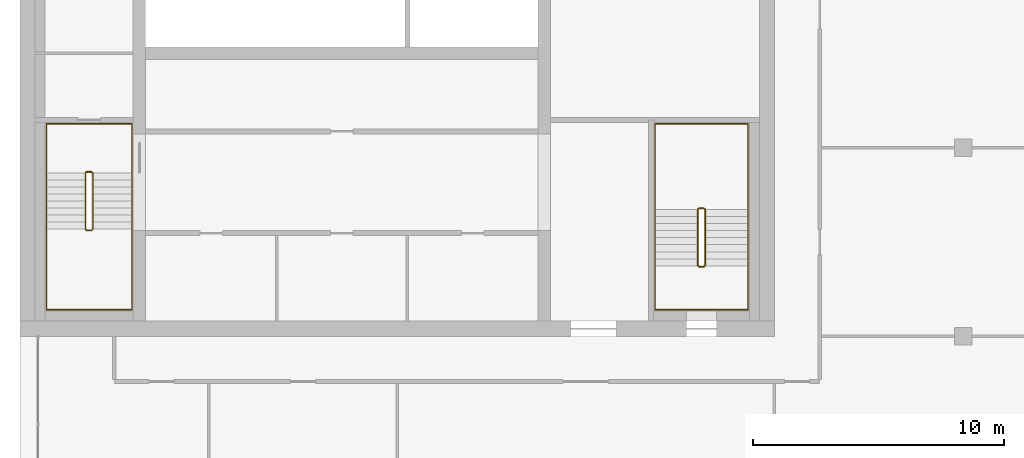
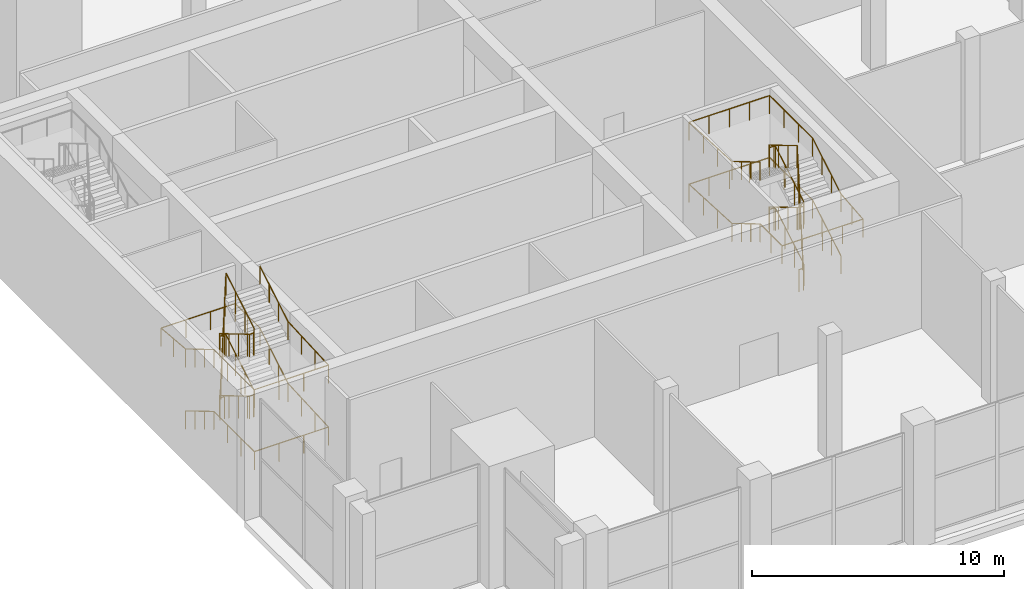
# One storey, part 14 of 15: 4 railings.
"""IFC4 building model written with IfcOpenShell, lengths in metres."""

from ifc_helpers import new_model, si_unit, direction, frame, origin, origin_2d, place, context, subcontext, project, spatial, circle, extrude, material, type_object, element, save


model = new_model("IFC4")

# Units and contexts
model_context = context("Model", 3, precision=1e-05, world=origin(), true_north=direction((0.0, 1.0)))
body_context = subcontext(model_context, "Body", "Model", "MODEL_VIEW")
ifc_project = project(units=[si_unit("LENGTHUNIT", "METRE"), si_unit("AREAUNIT", "SQUARE_METRE"), si_unit("VOLUMEUNIT", "CUBIC_METRE"), si_unit("PLANEANGLEUNIT", "RADIAN"), si_unit("MASSUNIT", "GRAM", prefix="KILO")], contexts=[model_context])

# Site, building, storey
site_placement = place(None, origin())
site = spatial("IfcSite", under=ifc_project, at=site_placement, CompositionType="ELEMENT")
building_placement = place(site_placement, origin())
building = spatial("IfcBuilding", under=site, at=building_placement, Name="Tamorin Gate", CompositionType="ELEMENT")
storey_placement = place(building_placement, frame((0.0, 0.0, 302.699951171875)))
storey = spatial("IfcBuildingStorey", under=building, at=storey_placement, Name="L75", CompositionType="ELEMENT", Elevation=302.699951171875)

# Railings
ifc_material_1 = material(Name="Painted steel balustrade", Category="steel")
railing_type_1 = type_object("IfcRailingType", Name="Stair guard 1100", PredefinedType="GUARDRAIL", material=ifc_material_1)
railing_1_placement = place(storey_placement, frame((32.60009765625, 66.5, 0.166748046875)))
element("IfcRailing", 1, at=railing_1_placement, inside=storey, type_object=railing_type_1, Name="L75 ST1 stair guard 1", PredefinedType="GUARDRAIL", context=body_context, shape_type="SweptSolid", body=[
    extrude(circle(Radius=0.02392578125, at=origin_2d()), frame((0.0, 0.0, 1.076171875), z_axis=(0.0, -0.859305625298, 0.511462454469), x_axis=(1.0, 0.0, 0.0)), (0.0, 0.0, 1.0), 2.606689453125),
    extrude(circle(Radius=0.02392578125, at=origin_2d()), frame((0.0, -2.239990234375, 2.4091796875), z_axis=(0.705375805398, -0.708833529934, 0.0), x_axis=(0.708833529934, 0.705375805398, 0.0)), (0.0, 0.0, 1.0), 0.070556640625),
    extrude(circle(Radius=0.02392578125, at=origin_2d()), frame((0.0498046875, -2.2900390625, 2.4091796875), z_axis=(1.0, 0.0, 0.0), x_axis=(0.0, 1.0, 0.0)), (0.0, 0.0, 1.0), 0.2001953125),
    extrude(circle(Radius=0.02392578125, at=origin_2d()), frame((0.25, -2.2900390625, 2.4091796875), z_axis=(0.275041040955, 0.276389281352, 0.920848191041), x_axis=(-0.708833529934, 0.705375805398, 0.0)), (0.0, 0.0, 1.0), 0.18115234375),
    extrude(circle(Radius=0.02392578125, at=origin_2d()), frame((0.2998046875, -2.239990234375, 2.576171875), z_axis=(0.0, 0.859305625298, 0.511462454469), x_axis=(-1.0, 0.0, 0.0)), (0.0, 0.0, 1.0), 2.606689453125),
    extrude(circle(Radius=0.02392578125, at=origin_2d()), frame((0.2998046875, 0.0, 3.9091796875), z_axis=(-0.98054382908, 0.196300278283, 0.0), x_axis=(-0.196300278283, -0.98054382908, 0.0)), (0.0, 0.0, 1.0), 0.2548828125),
    extrude(circle(Radius=0.02392578125, at=origin_2d()), frame((0.0498046875, 0.050048828125, 3.9091796875), z_axis=(1.0, 0.0, 0.0), x_axis=(0.0, 1.0, 0.0)), (0.0, 0.0, 1.0), 0.2001953125),
    extrude(circle(Radius=0.02392578125, at=origin_2d()), frame((0.25, 0.050048828125, 3.9091796875), z_axis=(-0.820621892478, -0.164284656209, 0.547348391174), x_axis=(0.196300278283, -0.98054382908, 0.0)), (0.0, 0.0, 1.0), 0.3046875),
    extrude(circle(Radius=0.02392578125, at=origin_2d()), frame((0.0, 0.0, 4.076171875), z_axis=(0.0, -0.859305625298, 0.511462454469), x_axis=(1.0, 0.0, 0.0)), (0.0, 0.0, 1.0), 2.606689453125),
    extrude(circle(Radius=0.02392578125, at=origin_2d()), frame((0.0, -2.239990234375, 5.4091796875), z_axis=(0.705375805398, -0.708833529934, 0.0), x_axis=(0.708833529934, 0.705375805398, 0.0)), (0.0, 0.0, 1.0), 0.070556640625),
    extrude(circle(Radius=0.02392578125, at=origin_2d()), frame((0.0498046875, -2.2900390625, 5.4091796875), z_axis=(1.0, 0.0, 0.0), x_axis=(0.0, 1.0, 0.0)), (0.0, 0.0, 1.0), 0.2001953125),
    extrude(circle(Radius=0.02392578125, at=origin_2d()), frame((0.25, -2.2900390625, 5.4091796875), z_axis=(0.275041040955, 0.276389281352, 0.920848191041), x_axis=(-0.708833529934, 0.705375805398, 0.0)), (0.0, 0.0, 1.0), 0.18115234375),
    extrude(circle(Radius=0.02392578125, at=origin_2d()), frame((0.2998046875, -2.239990234375, 5.576171875), z_axis=(0.0, 0.859305625298, 0.511462454469), x_axis=(-1.0, 0.0, 0.0)), (0.0, 0.0, 1.0), 2.606689453125),
    extrude(circle(Radius=0.02392578125, at=origin_2d()), frame((0.2998046875, 0.0, 6.9091796875), z_axis=(-0.041629098968, 0.008333950477, -0.999098375231), x_axis=(-0.196300278283, -0.98054382908, 0.0)), (0.0, 0.0, 1.0), 6.00537109375),
    extrude(circle(Radius=0.02392578125, at=origin_2d()), frame((0.0498046875, 0.050048828125, 0.9091796875), z_axis=(1.0, 0.0, 0.0), x_axis=(0.0, 1.0, 0.0)), (0.0, 0.0, 1.0), 0.2001953125),
    extrude(circle(Radius=0.02099609375, at=origin_2d()), origin(), (0.0, 0.0, 1.0), 1.052001953125),
    extrude(circle(Radius=0.02099609375, at=origin_2d()), frame((0.0, -0.74658203125, 0.4443359375)), (0.0, 0.0, 1.0), 1.052001953125),
    extrude(circle(Radius=0.02099609375, at=origin_2d()), frame((0.0, -1.493408203125, 0.888916015625)), (0.0, 0.0, 1.0), 1.052001953125),
    extrude(circle(Radius=0.02099609375, at=origin_2d()), frame((0.0, -2.239990234375, 1.333251953125)), (0.0, 0.0, 1.0), 1.052001953125),
    extrude(circle(Radius=0.02099609375, at=origin_2d()), frame((0.0498046875, -2.2900390625, 1.333251953125)), (0.0, 0.0, 1.0), 1.052001953125),
    extrude(circle(Radius=0.02099609375, at=origin_2d()), frame((0.25, -2.2900390625, 1.333251953125)), (0.0, 0.0, 1.0), 1.052001953125),
    extrude(circle(Radius=0.02099609375, at=origin_2d()), frame((0.2998046875, -2.239990234375, 1.5)), (0.0, 0.0, 1.0), 1.052001953125),
    extrude(circle(Radius=0.02099609375, at=origin_2d()), frame((0.2998046875, -1.493408203125, 1.9443359375)), (0.0, 0.0, 1.0), 1.052001953125),
    extrude(circle(Radius=0.02099609375, at=origin_2d()), frame((0.2998046875, -0.74658203125, 2.388916015625)), (0.0, 0.0, 1.0), 1.052001953125),
    extrude(circle(Radius=0.02099609375, at=origin_2d()), frame((0.2998046875, 0.0, 2.833251953125)), (0.0, 0.0, 1.0), 1.052001953125),
    extrude(circle(Radius=0.02099609375, at=origin_2d()), frame((0.0498046875, 0.050048828125, 2.833251953125)), (0.0, 0.0, 1.0), 1.052001953125),
    extrude(circle(Radius=0.02099609375, at=origin_2d()), frame((0.25, 0.050048828125, 2.833251953125)), (0.0, 0.0, 1.0), 1.052001953125),
    extrude(circle(Radius=0.02099609375, at=origin_2d()), frame((0.0, 0.0, 3.0)), (0.0, 0.0, 1.0), 1.052001953125),
    extrude(circle(Radius=0.02099609375, at=origin_2d()), frame((0.0, -0.74658203125, 3.4443359375)), (0.0, 0.0, 1.0), 1.052001953125),
    extrude(circle(Radius=0.02099609375, at=origin_2d()), frame((0.0, -1.493408203125, 3.888916015625)), (0.0, 0.0, 1.0), 1.052001953125),
    extrude(circle(Radius=0.02099609375, at=origin_2d()), frame((0.0, -2.239990234375, 4.333251953125)), (0.0, 0.0, 1.0), 1.052001953125),
    extrude(circle(Radius=0.02099609375, at=origin_2d()), frame((0.0498046875, -2.2900390625, 4.333251953125)), (0.0, 0.0, 1.0), 1.052001953125),
    extrude(circle(Radius=0.02099609375, at=origin_2d()), frame((0.25, -2.2900390625, 4.333251953125)), (0.0, 0.0, 1.0), 1.052001953125),
    extrude(circle(Radius=0.02099609375, at=origin_2d()), frame((0.2998046875, -2.239990234375, 4.5)), (0.0, 0.0, 1.0), 1.052001953125),
    extrude(circle(Radius=0.02099609375, at=origin_2d()), frame((0.2998046875, -1.493408203125, 4.9443359375)), (0.0, 0.0, 1.0), 1.052001953125),
    extrude(circle(Radius=0.02099609375, at=origin_2d()), frame((0.2998046875, -0.74658203125, 5.388916015625)), (0.0, 0.0, 1.0), 1.052001953125),
    extrude(circle(Radius=0.02099609375, at=origin_2d()), frame((0.2998046875, 0.0, 5.833251953125)), (0.0, 0.0, 1.0), 1.052001953125),
    extrude(circle(Radius=0.02099609375, at=origin_2d()), frame((0.258056640625, 0.00830078125, 4.833251953125)), (0.0, 0.0, 1.0), 1.052001953125),
    extrude(circle(Radius=0.02099609375, at=origin_2d()), frame((0.216552734375, 0.0166015625, 3.833251953125)), (0.0, 0.0, 1.0), 1.052001953125),
    extrude(circle(Radius=0.02099609375, at=origin_2d()), frame((0.1748046875, 0.02490234375, 2.833251953125)), (0.0, 0.0, 1.0), 1.052001953125),
    extrude(circle(Radius=0.02099609375, at=origin_2d()), frame((0.133056640625, 0.033447265625, 1.833251953125)), (0.0, 0.0, 1.0), 1.052001953125),
    extrude(circle(Radius=0.02099609375, at=origin_2d()), frame((0.091552734375, 0.041748046875, 0.833251953125)), (0.0, 0.0, 1.0), 1.052001953125),
    extrude(circle(Radius=0.02099609375, at=origin_2d()), frame((0.0498046875, 0.050048828125, -0.166748046875)), (0.0, 0.0, 1.0), 1.052001953125),
    extrude(circle(Radius=0.02099609375, at=origin_2d()), frame((0.25, 0.050048828125, -0.166748046875)), (0.0, 0.0, 1.0), 1.052001953125),
])
railing_2_placement = place(storey_placement, frame((57.25, 62.800048828125, 0.166748046875)))
element("IfcRailing", 2, at=railing_2_placement, inside=storey, type_object=railing_type_1, Name="L75 ST3 stair guard 1", PredefinedType="GUARDRAIL", context=body_context, shape_type="SweptSolid", body=[
    extrude(circle(Radius=0.02392578125, at=origin_2d()), frame((0.0, 0.0, 1.076171875), z_axis=(0.0, 0.859305625298, 0.511462454469), x_axis=(-1.0, 0.0, 0.0)), (0.0, 0.0, 1.0), 2.606689453125),
    extrude(circle(Radius=0.02392578125, at=origin_2d()), frame((0.0, 2.239990234375, 2.4091796875), z_axis=(-0.707106781187, 0.707106781187, 0.0), x_axis=(-0.707106781187, -0.707106781187, 0.0)), (0.0, 0.0, 1.0), 0.07080078125),
    extrude(circle(Radius=0.02392578125, at=origin_2d()), frame((-0.050048828125, 2.2900390625, 2.4091796875), z_axis=(-1.0, 0.0, 0.0), x_axis=(0.0, -1.0, 0.0)), (0.0, 0.0, 1.0), 0.199951171875),
    extrude(circle(Radius=0.02392578125, at=origin_2d()), frame((-0.25, 2.2900390625, 2.4091796875), z_axis=(-0.27628659633, -0.27628659633, 0.920506074601), x_axis=(0.707106781187, -0.707106781187, 0.0)), (0.0, 0.0, 1.0), 0.18115234375),
    extrude(circle(Radius=0.02392578125, at=origin_2d()), frame((-0.300048828125, 2.239990234375, 2.576171875), z_axis=(0.0, -0.859305625298, 0.511462454469), x_axis=(1.0, 0.0, 0.0)), (0.0, 0.0, 1.0), 2.606689453125),
    extrude(circle(Radius=0.02392578125, at=origin_2d()), frame((-0.300048828125, 0.0, 3.9091796875), z_axis=(0.98054382908, -0.196300278283, 0.0), x_axis=(0.196300278283, 0.98054382908, 0.0)), (0.0, 0.0, 1.0), 0.2548828125),
    extrude(circle(Radius=0.02392578125, at=origin_2d()), frame((-0.050048828125, -0.050048828125, 3.9091796875), z_axis=(-1.0, 0.0, 0.0), x_axis=(0.0, -1.0, 0.0)), (0.0, 0.0, 1.0), 0.199951171875),
    extrude(circle(Radius=0.02392578125, at=origin_2d()), frame((-0.25, -0.050048828125, 3.9091796875), z_axis=(0.820621892478, 0.164284656209, 0.547348391174), x_axis=(-0.196300278283, 0.98054382908, 0.0)), (0.0, 0.0, 1.0), 0.3046875),
    extrude(circle(Radius=0.02392578125, at=origin_2d()), frame((0.0, 0.0, 4.076171875), z_axis=(0.0, 0.859305625298, 0.511462454469), x_axis=(-1.0, 0.0, 0.0)), (0.0, 0.0, 1.0), 2.606689453125),
    extrude(circle(Radius=0.02392578125, at=origin_2d()), frame((0.0, 2.239990234375, 5.4091796875), z_axis=(-0.707106781187, 0.707106781187, 0.0), x_axis=(-0.707106781187, -0.707106781187, 0.0)), (0.0, 0.0, 1.0), 0.07080078125),
    extrude(circle(Radius=0.02392578125, at=origin_2d()), frame((-0.050048828125, 2.2900390625, 5.4091796875), z_axis=(-1.0, 0.0, 0.0), x_axis=(0.0, -1.0, 0.0)), (0.0, 0.0, 1.0), 0.199951171875),
    extrude(circle(Radius=0.02392578125, at=origin_2d()), frame((-0.25, 2.2900390625, 5.4091796875), z_axis=(-0.27628659633, -0.27628659633, 0.920506074601), x_axis=(0.707106781187, -0.707106781187, 0.0)), (0.0, 0.0, 1.0), 0.18115234375),
    extrude(circle(Radius=0.02392578125, at=origin_2d()), frame((-0.300048828125, 2.239990234375, 5.576171875), z_axis=(0.0, -0.859305625298, 0.511462454469), x_axis=(1.0, 0.0, 0.0)), (0.0, 0.0, 1.0), 2.606689453125),
    extrude(circle(Radius=0.02392578125, at=origin_2d()), frame((-0.300048828125, 0.0, 6.9091796875), z_axis=(0.041629098968, -0.008333950477, -0.999098375231), x_axis=(0.196300278283, 0.98054382908, 0.0)), (0.0, 0.0, 1.0), 6.00537109375),
    extrude(circle(Radius=0.02392578125, at=origin_2d()), frame((-0.050048828125, -0.050048828125, 0.9091796875), z_axis=(-1.0, 0.0, 0.0), x_axis=(0.0, -1.0, 0.0)), (0.0, 0.0, 1.0), 0.199951171875),
    extrude(circle(Radius=0.02099609375, at=origin_2d()), origin(), (0.0, 0.0, 1.0), 1.052001953125),
    extrude(circle(Radius=0.02099609375, at=origin_2d()), frame((0.0, 0.74658203125, 0.4443359375)), (0.0, 0.0, 1.0), 1.052001953125),
    extrude(circle(Radius=0.02099609375, at=origin_2d()), frame((0.0, 1.493408203125, 0.888916015625)), (0.0, 0.0, 1.0), 1.052001953125),
    extrude(circle(Radius=0.02099609375, at=origin_2d()), frame((0.0, 2.239990234375, 1.333251953125)), (0.0, 0.0, 1.0), 1.052001953125),
    extrude(circle(Radius=0.02099609375, at=origin_2d()), frame((-0.050048828125, 2.2900390625, 1.333251953125)), (0.0, 0.0, 1.0), 1.052001953125),
    extrude(circle(Radius=0.02099609375, at=origin_2d()), frame((-0.25, 2.2900390625, 1.333251953125)), (0.0, 0.0, 1.0), 1.052001953125),
    extrude(circle(Radius=0.02099609375, at=origin_2d()), frame((-0.300048828125, 2.239990234375, 1.5)), (0.0, 0.0, 1.0), 1.052001953125),
    extrude(circle(Radius=0.02099609375, at=origin_2d()), frame((-0.300048828125, 1.493408203125, 1.9443359375)), (0.0, 0.0, 1.0), 1.052001953125),
    extrude(circle(Radius=0.02099609375, at=origin_2d()), frame((-0.300048828125, 0.74658203125, 2.388916015625)), (0.0, 0.0, 1.0), 1.052001953125),
    extrude(circle(Radius=0.02099609375, at=origin_2d()), frame((-0.300048828125, 0.0, 2.833251953125)), (0.0, 0.0, 1.0), 1.052001953125),
    extrude(circle(Radius=0.02099609375, at=origin_2d()), frame((-0.050048828125, -0.050048828125, 2.833251953125)), (0.0, 0.0, 1.0), 1.052001953125),
    extrude(circle(Radius=0.02099609375, at=origin_2d()), frame((-0.25, -0.050048828125, 2.833251953125)), (0.0, 0.0, 1.0), 1.052001953125),
    extrude(circle(Radius=0.02099609375, at=origin_2d()), frame((0.0, 0.0, 3.0)), (0.0, 0.0, 1.0), 1.052001953125),
    extrude(circle(Radius=0.02099609375, at=origin_2d()), frame((0.0, 0.74658203125, 3.4443359375)), (0.0, 0.0, 1.0), 1.052001953125),
    extrude(circle(Radius=0.02099609375, at=origin_2d()), frame((0.0, 1.493408203125, 3.888916015625)), (0.0, 0.0, 1.0), 1.052001953125),
    extrude(circle(Radius=0.02099609375, at=origin_2d()), frame((0.0, 2.239990234375, 4.333251953125)), (0.0, 0.0, 1.0), 1.052001953125),
    extrude(circle(Radius=0.02099609375, at=origin_2d()), frame((-0.050048828125, 2.2900390625, 4.333251953125)), (0.0, 0.0, 1.0), 1.052001953125),
    extrude(circle(Radius=0.02099609375, at=origin_2d()), frame((-0.25, 2.2900390625, 4.333251953125)), (0.0, 0.0, 1.0), 1.052001953125),
    extrude(circle(Radius=0.02099609375, at=origin_2d()), frame((-0.300048828125, 2.239990234375, 4.5)), (0.0, 0.0, 1.0), 1.052001953125),
    extrude(circle(Radius=0.02099609375, at=origin_2d()), frame((-0.300048828125, 1.493408203125, 4.9443359375)), (0.0, 0.0, 1.0), 1.052001953125),
    extrude(circle(Radius=0.02099609375, at=origin_2d()), frame((-0.300048828125, 0.74658203125, 5.388916015625)), (0.0, 0.0, 1.0), 1.052001953125),
    extrude(circle(Radius=0.02099609375, at=origin_2d()), frame((-0.300048828125, 0.0, 5.833251953125)), (0.0, 0.0, 1.0), 1.052001953125),
    extrude(circle(Radius=0.02099609375, at=origin_2d()), frame((-0.25830078125, -0.00830078125, 4.833251953125)), (0.0, 0.0, 1.0), 1.052001953125),
    extrude(circle(Radius=0.02099609375, at=origin_2d()), frame((-0.216796875, -0.0166015625, 3.833251953125)), (0.0, 0.0, 1.0), 1.052001953125),
    extrude(circle(Radius=0.02099609375, at=origin_2d()), frame((-0.175048828125, -0.02490234375, 2.833251953125)), (0.0, 0.0, 1.0), 1.052001953125),
    extrude(circle(Radius=0.02099609375, at=origin_2d()), frame((-0.13330078125, -0.033447265625, 1.833251953125)), (0.0, 0.0, 1.0), 1.052001953125),
    extrude(circle(Radius=0.02099609375, at=origin_2d()), frame((-0.091796875, -0.041748046875, 0.833251953125)), (0.0, 0.0, 1.0), 1.052001953125),
    extrude(circle(Radius=0.02099609375, at=origin_2d()), frame((-0.050048828125, -0.050048828125, -0.166748046875)), (0.0, 0.0, 1.0), 1.052001953125),
    extrude(circle(Radius=0.02099609375, at=origin_2d()), frame((-0.25, -0.050048828125, -0.166748046875)), (0.0, 0.0, 1.0), 1.052001953125),
])
ifc_material_2 = material(Name="Painted steel handrail", Category="steel")
railing_type_2 = type_object("IfcRailingType", Name="Stair handrail 900", PredefinedType="HANDRAIL", material=ifc_material_2)
railing_3_placement = place(storey_placement, frame((31.050048828125, 66.5, 0.166748046875)))
element("IfcRailing", 3, at=railing_3_placement, inside=storey, type_object=railing_type_2, Name="L75 ST1 stair handrail 1", PredefinedType="HANDRAIL", context=body_context, shape_type="SweptSolid", body=[
    extrude(circle(Radius=0.02392578125, at=origin_2d()), frame((0.0, 0.0, 0.8759765625), z_axis=(0.0, -0.859305625298, 0.511462454469), x_axis=(1.0, 0.0, 0.0)), (0.0, 0.0, 1.0), 2.606689453125),
    extrude(circle(Radius=0.02392578125, at=origin_2d()), frame((0.0, -2.239990234375, 2.208984375), z_axis=(0.0, -1.0, 0.0), x_axis=(1.0, 0.0, 0.0)), (0.0, 0.0, 1.0), 3.2099609375),
    extrude(circle(Radius=0.02392578125, at=origin_2d()), frame((0.0, -5.449951171875, 2.208984375), z_axis=(1.0, 0.0, 0.0), x_axis=(0.0, 1.0, 0.0)), (0.0, 0.0, 1.0), 3.39990234375),
    extrude(circle(Radius=0.02392578125, at=origin_2d()), frame((3.39990234375, -5.449951171875, 2.208984375), z_axis=(0.0, 0.998653475843, 0.051877116215), x_axis=(-1.0, 0.0, 0.0)), (0.0, 0.0, 1.0), 3.21435546875),
    extrude(circle(Radius=0.02392578125, at=origin_2d()), frame((3.39990234375, -2.239990234375, 2.3759765625), z_axis=(0.0, 0.859305625298, 0.511462454469), x_axis=(-1.0, 0.0, 0.0)), (0.0, 0.0, 1.0), 2.606689453125),
    extrude(circle(Radius=0.02392578125, at=origin_2d()), frame((3.39990234375, 0.0, 3.708984375), z_axis=(0.0, 1.0, 0.0), x_axis=(-1.0, 0.0, 0.0)), (0.0, 0.0, 1.0), 1.949951171875),
    extrude(circle(Radius=0.02392578125, at=origin_2d()), frame((3.39990234375, 1.949951171875, 3.708984375), z_axis=(-1.0, 0.0, 0.0), x_axis=(0.0, -1.0, 0.0)), (0.0, 0.0, 1.0), 3.39990234375),
    extrude(circle(Radius=0.02392578125, at=origin_2d()), frame((0.0, 1.949951171875, 3.708984375), z_axis=(0.0, -0.996363612883, 0.085202998322), x_axis=(1.0, 0.0, 0.0)), (0.0, 0.0, 1.0), 1.95703125),
    extrude(circle(Radius=0.02392578125, at=origin_2d()), frame((0.0, 0.0, 3.8759765625), z_axis=(0.0, -0.859305625298, 0.511462454469), x_axis=(1.0, 0.0, 0.0)), (0.0, 0.0, 1.0), 2.606689453125),
    extrude(circle(Radius=0.02392578125, at=origin_2d()), frame((0.0, -2.239990234375, 5.208984375), z_axis=(0.0, -1.0, 0.0), x_axis=(1.0, 0.0, 0.0)), (0.0, 0.0, 1.0), 3.2099609375),
    extrude(circle(Radius=0.02392578125, at=origin_2d()), frame((0.0, -5.449951171875, 5.208984375), z_axis=(1.0, 0.0, 0.0), x_axis=(0.0, 1.0, 0.0)), (0.0, 0.0, 1.0), 3.39990234375),
    extrude(circle(Radius=0.02392578125, at=origin_2d()), frame((3.39990234375, -5.449951171875, 5.208984375), z_axis=(0.0, 0.998653475843, 0.051877116215), x_axis=(-1.0, 0.0, 0.0)), (0.0, 0.0, 1.0), 3.21435546875),
    extrude(circle(Radius=0.02392578125, at=origin_2d()), frame((3.39990234375, -2.239990234375, 5.3759765625), z_axis=(0.0, 0.859305625298, 0.511462454469), x_axis=(-1.0, 0.0, 0.0)), (0.0, 0.0, 1.0), 2.606689453125),
    extrude(circle(Radius=0.02099609375, at=origin_2d()), origin(), (0.0, 0.0, 1.0), 0.851806640625),
    extrude(circle(Radius=0.02099609375, at=origin_2d()), frame((0.0, -0.74658203125, 0.4443359375)), (0.0, 0.0, 1.0), 0.851806640625),
    extrude(circle(Radius=0.02099609375, at=origin_2d()), frame((0.0, -1.493408203125, 0.888916015625)), (0.0, 0.0, 1.0), 0.851806640625),
    extrude(circle(Radius=0.02099609375, at=origin_2d()), frame((0.0, -2.239990234375, 1.333251953125)), (0.0, 0.0, 1.0), 0.851806640625),
    extrude(circle(Radius=0.02099609375, at=origin_2d()), frame((0.0, -3.31005859375, 1.333251953125)), (0.0, 0.0, 1.0), 0.851806640625),
    extrude(circle(Radius=0.02099609375, at=origin_2d()), frame((0.0, -4.3798828125, 1.333251953125)), (0.0, 0.0, 1.0), 0.851806640625),
    extrude(circle(Radius=0.02099609375, at=origin_2d()), frame((0.0, -5.449951171875, 1.333251953125)), (0.0, 0.0, 1.0), 0.851806640625),
    extrude(circle(Radius=0.02099609375, at=origin_2d()), frame((1.13330078125, -5.449951171875, 1.333251953125)), (0.0, 0.0, 1.0), 0.851806640625),
    extrude(circle(Radius=0.02099609375, at=origin_2d()), frame((2.2666015625, -5.449951171875, 1.333251953125)), (0.0, 0.0, 1.0), 0.851806640625),
    extrude(circle(Radius=0.02099609375, at=origin_2d()), frame((3.39990234375, -5.449951171875, 1.333251953125)), (0.0, 0.0, 1.0), 0.851806640625),
    extrude(circle(Radius=0.02099609375, at=origin_2d()), frame((3.39990234375, -4.3798828125, 1.388916015625)), (0.0, 0.0, 1.0), 0.851806640625),
    extrude(circle(Radius=0.02099609375, at=origin_2d()), frame((3.39990234375, -3.31005859375, 1.4443359375)), (0.0, 0.0, 1.0), 0.851806640625),
    extrude(circle(Radius=0.02099609375, at=origin_2d()), frame((3.39990234375, -2.239990234375, 1.5)), (0.0, 0.0, 1.0), 0.851806640625),
    extrude(circle(Radius=0.02099609375, at=origin_2d()), frame((3.39990234375, -1.493408203125, 1.9443359375)), (0.0, 0.0, 1.0), 0.851806640625),
    extrude(circle(Radius=0.02099609375, at=origin_2d()), frame((3.39990234375, -0.74658203125, 2.388916015625)), (0.0, 0.0, 1.0), 0.851806640625),
    extrude(circle(Radius=0.02099609375, at=origin_2d()), frame((3.39990234375, 0.0, 2.833251953125)), (0.0, 0.0, 1.0), 0.851806640625),
    extrude(circle(Radius=0.02099609375, at=origin_2d()), frame((3.39990234375, 0.97509765625, 2.833251953125)), (0.0, 0.0, 1.0), 0.851806640625),
    extrude(circle(Radius=0.02099609375, at=origin_2d()), frame((3.39990234375, 1.949951171875, 2.833251953125)), (0.0, 0.0, 1.0), 0.851806640625),
    extrude(circle(Radius=0.02099609375, at=origin_2d()), frame((2.2666015625, 1.949951171875, 2.833251953125)), (0.0, 0.0, 1.0), 0.851806640625),
    extrude(circle(Radius=0.02099609375, at=origin_2d()), frame((1.13330078125, 1.949951171875, 2.833251953125)), (0.0, 0.0, 1.0), 0.851806640625),
    extrude(circle(Radius=0.02099609375, at=origin_2d()), frame((0.0, 1.949951171875, 2.833251953125)), (0.0, 0.0, 1.0), 0.851806640625),
    extrude(circle(Radius=0.02099609375, at=origin_2d()), frame((0.0, 0.97509765625, 2.91650390625)), (0.0, 0.0, 1.0), 0.851806640625),
    extrude(circle(Radius=0.02099609375, at=origin_2d()), frame((0.0, 0.0, 3.0)), (0.0, 0.0, 1.0), 0.851806640625),
    extrude(circle(Radius=0.02099609375, at=origin_2d()), frame((0.0, -0.74658203125, 3.4443359375)), (0.0, 0.0, 1.0), 0.851806640625),
    extrude(circle(Radius=0.02099609375, at=origin_2d()), frame((0.0, -1.493408203125, 3.888916015625)), (0.0, 0.0, 1.0), 0.851806640625),
    extrude(circle(Radius=0.02099609375, at=origin_2d()), frame((0.0, -2.239990234375, 4.333251953125)), (0.0, 0.0, 1.0), 0.851806640625),
    extrude(circle(Radius=0.02099609375, at=origin_2d()), frame((0.0, -3.31005859375, 4.333251953125)), (0.0, 0.0, 1.0), 0.851806640625),
    extrude(circle(Radius=0.02099609375, at=origin_2d()), frame((0.0, -4.3798828125, 4.333251953125)), (0.0, 0.0, 1.0), 0.851806640625),
    extrude(circle(Radius=0.02099609375, at=origin_2d()), frame((0.0, -5.449951171875, 4.333251953125)), (0.0, 0.0, 1.0), 0.851806640625),
    extrude(circle(Radius=0.02099609375, at=origin_2d()), frame((1.13330078125, -5.449951171875, 4.333251953125)), (0.0, 0.0, 1.0), 0.851806640625),
    extrude(circle(Radius=0.02099609375, at=origin_2d()), frame((2.2666015625, -5.449951171875, 4.333251953125)), (0.0, 0.0, 1.0), 0.851806640625),
    extrude(circle(Radius=0.02099609375, at=origin_2d()), frame((3.39990234375, -5.449951171875, 4.333251953125)), (0.0, 0.0, 1.0), 0.851806640625),
    extrude(circle(Radius=0.02099609375, at=origin_2d()), frame((3.39990234375, -4.3798828125, 4.388916015625)), (0.0, 0.0, 1.0), 0.851806640625),
    extrude(circle(Radius=0.02099609375, at=origin_2d()), frame((3.39990234375, -3.31005859375, 4.4443359375)), (0.0, 0.0, 1.0), 0.851806640625),
    extrude(circle(Radius=0.02099609375, at=origin_2d()), frame((3.39990234375, -2.239990234375, 4.5)), (0.0, 0.0, 1.0), 0.851806640625),
    extrude(circle(Radius=0.02099609375, at=origin_2d()), frame((3.39990234375, -1.493408203125, 4.9443359375)), (0.0, 0.0, 1.0), 0.851806640625),
    extrude(circle(Radius=0.02099609375, at=origin_2d()), frame((3.39990234375, -0.74658203125, 5.388916015625)), (0.0, 0.0, 1.0), 0.851806640625),
    extrude(circle(Radius=0.02099609375, at=origin_2d()), frame((3.39990234375, 0.0, 5.833251953125)), (0.0, 0.0, 1.0), 0.851806640625),
])
railing_4_placement = place(storey_placement, frame((58.949951171875, 62.800048828125, 0.166748046875)))
element("IfcRailing", 4, at=railing_4_placement, inside=storey, type_object=railing_type_2, Name="L75 ST3 stair handrail 1", PredefinedType="HANDRAIL", context=body_context, shape_type="SweptSolid", body=[
    extrude(circle(Radius=0.02392578125, at=origin_2d()), frame((0.0, 0.0, 0.8759765625), z_axis=(0.0, 0.859305625298, 0.511462454469), x_axis=(-1.0, 0.0, 0.0)), (0.0, 0.0, 1.0), 2.606689453125),
    extrude(circle(Radius=0.02392578125, at=origin_2d()), frame((0.0, 2.239990234375, 2.208984375), z_axis=(0.0, 1.0, 0.0), x_axis=(-1.0, 0.0, 0.0)), (0.0, 0.0, 1.0), 3.409912109375),
    extrude(circle(Radius=0.02392578125, at=origin_2d()), frame((0.0, 5.64990234375, 2.208984375), z_axis=(-1.0, 0.0, 0.0), x_axis=(0.0, -1.0, 0.0)), (0.0, 0.0, 1.0), 3.699951171875),
    extrude(circle(Radius=0.02392578125, at=origin_2d()), frame((-3.699951171875, 5.64990234375, 2.208984375), z_axis=(0.0, -0.998806487149, 0.048842616934), x_axis=(1.0, 0.0, 0.0)), (0.0, 0.0, 1.0), 3.4140625),
    extrude(circle(Radius=0.02392578125, at=origin_2d()), frame((-3.699951171875, 2.239990234375, 2.3759765625), z_axis=(0.0, -0.859305625298, 0.511462454469), x_axis=(1.0, 0.0, 0.0)), (0.0, 0.0, 1.0), 2.606689453125),
    extrude(circle(Radius=0.02392578125, at=origin_2d()), frame((-3.699951171875, 0.0, 3.708984375), z_axis=(0.0, -1.0, 0.0), x_axis=(1.0, 0.0, 0.0)), (0.0, 0.0, 1.0), 1.75),
    extrude(circle(Radius=0.02392578125, at=origin_2d()), frame((-3.699951171875, -1.75, 3.708984375), z_axis=(1.0, 0.0, 0.0), x_axis=(0.0, 1.0, 0.0)), (0.0, 0.0, 1.0), 3.699951171875),
    extrude(circle(Radius=0.02392578125, at=origin_2d()), frame((0.0, -1.75, 3.708984375), z_axis=(0.0, 0.995491102282, 0.094854969707), x_axis=(-1.0, 0.0, 0.0)), (0.0, 0.0, 1.0), 1.7578125),
    extrude(circle(Radius=0.02392578125, at=origin_2d()), frame((0.0, 0.0, 3.8759765625), z_axis=(0.0, 0.859305625298, 0.511462454469), x_axis=(-1.0, 0.0, 0.0)), (0.0, 0.0, 1.0), 2.606689453125),
    extrude(circle(Radius=0.02392578125, at=origin_2d()), frame((0.0, 2.239990234375, 5.208984375), z_axis=(0.0, 1.0, 0.0), x_axis=(-1.0, 0.0, 0.0)), (0.0, 0.0, 1.0), 3.409912109375),
    extrude(circle(Radius=0.02392578125, at=origin_2d()), frame((0.0, 5.64990234375, 5.208984375), z_axis=(-1.0, 0.0, 0.0), x_axis=(0.0, -1.0, 0.0)), (0.0, 0.0, 1.0), 3.699951171875),
    extrude(circle(Radius=0.02392578125, at=origin_2d()), frame((-3.699951171875, 5.64990234375, 5.208984375), z_axis=(0.0, -0.998806487149, 0.048842616934), x_axis=(1.0, 0.0, 0.0)), (0.0, 0.0, 1.0), 3.4140625),
    extrude(circle(Radius=0.02392578125, at=origin_2d()), frame((-3.699951171875, 2.239990234375, 5.3759765625), z_axis=(0.0, -0.859305625298, 0.511462454469), x_axis=(1.0, 0.0, 0.0)), (0.0, 0.0, 1.0), 2.606689453125),
    extrude(circle(Radius=0.02099609375, at=origin_2d()), origin(), (0.0, 0.0, 1.0), 0.851806640625),
    extrude(circle(Radius=0.02099609375, at=origin_2d()), frame((0.0, 0.74658203125, 0.4443359375)), (0.0, 0.0, 1.0), 0.851806640625),
    extrude(circle(Radius=0.02099609375, at=origin_2d()), frame((0.0, 1.493408203125, 0.888916015625)), (0.0, 0.0, 1.0), 0.851806640625),
    extrude(circle(Radius=0.02099609375, at=origin_2d()), frame((0.0, 2.239990234375, 1.333251953125)), (0.0, 0.0, 1.0), 0.851806640625),
    extrude(circle(Radius=0.02099609375, at=origin_2d()), frame((0.0, 3.376708984375, 1.333251953125)), (0.0, 0.0, 1.0), 0.851806640625),
    extrude(circle(Radius=0.02099609375, at=origin_2d()), frame((0.0, 4.51318359375, 1.333251953125)), (0.0, 0.0, 1.0), 0.851806640625),
    extrude(circle(Radius=0.02099609375, at=origin_2d()), frame((0.0, 5.64990234375, 1.333251953125)), (0.0, 0.0, 1.0), 0.851806640625),
    extrude(circle(Radius=0.02099609375, at=origin_2d()), frame((-0.925048828125, 5.64990234375, 1.333251953125)), (0.0, 0.0, 1.0), 0.851806640625),
    extrude(circle(Radius=0.02099609375, at=origin_2d()), frame((-1.85009765625, 5.64990234375, 1.333251953125)), (0.0, 0.0, 1.0), 0.851806640625),
    extrude(circle(Radius=0.02099609375, at=origin_2d()), frame((-2.77490234375, 5.64990234375, 1.333251953125)), (0.0, 0.0, 1.0), 0.851806640625),
    extrude(circle(Radius=0.02099609375, at=origin_2d()), frame((-3.699951171875, 5.64990234375, 1.333251953125)), (0.0, 0.0, 1.0), 0.851806640625),
    extrude(circle(Radius=0.02099609375, at=origin_2d()), frame((-3.699951171875, 4.51318359375, 1.388916015625)), (0.0, 0.0, 1.0), 0.851806640625),
    extrude(circle(Radius=0.02099609375, at=origin_2d()), frame((-3.699951171875, 3.376708984375, 1.4443359375)), (0.0, 0.0, 1.0), 0.851806640625),
    extrude(circle(Radius=0.02099609375, at=origin_2d()), frame((-3.699951171875, 2.239990234375, 1.5)), (0.0, 0.0, 1.0), 0.851806640625),
    extrude(circle(Radius=0.02099609375, at=origin_2d()), frame((-3.699951171875, 1.493408203125, 1.9443359375)), (0.0, 0.0, 1.0), 0.851806640625),
    extrude(circle(Radius=0.02099609375, at=origin_2d()), frame((-3.699951171875, 0.74658203125, 2.388916015625)), (0.0, 0.0, 1.0), 0.851806640625),
    extrude(circle(Radius=0.02099609375, at=origin_2d()), frame((-3.699951171875, 0.0, 2.833251953125)), (0.0, 0.0, 1.0), 0.851806640625),
    extrude(circle(Radius=0.02099609375, at=origin_2d()), frame((-3.699951171875, -0.875, 2.833251953125)), (0.0, 0.0, 1.0), 0.851806640625),
    extrude(circle(Radius=0.02099609375, at=origin_2d()), frame((-3.699951171875, -1.75, 2.833251953125)), (0.0, 0.0, 1.0), 0.851806640625),
    extrude(circle(Radius=0.02099609375, at=origin_2d()), frame((-2.77490234375, -1.75, 2.833251953125)), (0.0, 0.0, 1.0), 0.851806640625),
    extrude(circle(Radius=0.02099609375, at=origin_2d()), frame((-1.85009765625, -1.75, 2.833251953125)), (0.0, 0.0, 1.0), 0.851806640625),
    extrude(circle(Radius=0.02099609375, at=origin_2d()), frame((-0.925048828125, -1.75, 2.833251953125)), (0.0, 0.0, 1.0), 0.851806640625),
    extrude(circle(Radius=0.02099609375, at=origin_2d()), frame((0.0, -1.75, 2.833251953125)), (0.0, 0.0, 1.0), 0.851806640625),
    extrude(circle(Radius=0.02099609375, at=origin_2d()), frame((0.0, -0.875, 2.91650390625)), (0.0, 0.0, 1.0), 0.851806640625),
    extrude(circle(Radius=0.02099609375, at=origin_2d()), frame((0.0, 0.0, 3.0)), (0.0, 0.0, 1.0), 0.851806640625),
    extrude(circle(Radius=0.02099609375, at=origin_2d()), frame((0.0, 0.74658203125, 3.4443359375)), (0.0, 0.0, 1.0), 0.851806640625),
    extrude(circle(Radius=0.02099609375, at=origin_2d()), frame((0.0, 1.493408203125, 3.888916015625)), (0.0, 0.0, 1.0), 0.851806640625),
    extrude(circle(Radius=0.02099609375, at=origin_2d()), frame((0.0, 2.239990234375, 4.333251953125)), (0.0, 0.0, 1.0), 0.851806640625),
    extrude(circle(Radius=0.02099609375, at=origin_2d()), frame((0.0, 3.376708984375, 4.333251953125)), (0.0, 0.0, 1.0), 0.851806640625),
    extrude(circle(Radius=0.02099609375, at=origin_2d()), frame((0.0, 4.51318359375, 4.333251953125)), (0.0, 0.0, 1.0), 0.851806640625),
    extrude(circle(Radius=0.02099609375, at=origin_2d()), frame((0.0, 5.64990234375, 4.333251953125)), (0.0, 0.0, 1.0), 0.851806640625),
    extrude(circle(Radius=0.02099609375, at=origin_2d()), frame((-0.925048828125, 5.64990234375, 4.333251953125)), (0.0, 0.0, 1.0), 0.851806640625),
    extrude(circle(Radius=0.02099609375, at=origin_2d()), frame((-1.85009765625, 5.64990234375, 4.333251953125)), (0.0, 0.0, 1.0), 0.851806640625),
    extrude(circle(Radius=0.02099609375, at=origin_2d()), frame((-2.77490234375, 5.64990234375, 4.333251953125)), (0.0, 0.0, 1.0), 0.851806640625),
    extrude(circle(Radius=0.02099609375, at=origin_2d()), frame((-3.699951171875, 5.64990234375, 4.333251953125)), (0.0, 0.0, 1.0), 0.851806640625),
    extrude(circle(Radius=0.02099609375, at=origin_2d()), frame((-3.699951171875, 4.51318359375, 4.388916015625)), (0.0, 0.0, 1.0), 0.851806640625),
    extrude(circle(Radius=0.02099609375, at=origin_2d()), frame((-3.699951171875, 3.376708984375, 4.4443359375)), (0.0, 0.0, 1.0), 0.851806640625),
    extrude(circle(Radius=0.02099609375, at=origin_2d()), frame((-3.699951171875, 2.239990234375, 4.5)), (0.0, 0.0, 1.0), 0.851806640625),
    extrude(circle(Radius=0.02099609375, at=origin_2d()), frame((-3.699951171875, 1.493408203125, 4.9443359375)), (0.0, 0.0, 1.0), 0.851806640625),
    extrude(circle(Radius=0.02099609375, at=origin_2d()), frame((-3.699951171875, 0.74658203125, 5.388916015625)), (0.0, 0.0, 1.0), 0.851806640625),
    extrude(circle(Radius=0.02099609375, at=origin_2d()), frame((-3.699951171875, 0.0, 5.833251953125)), (0.0, 0.0, 1.0), 0.851806640625),
])

save(model, "model.ifc")
